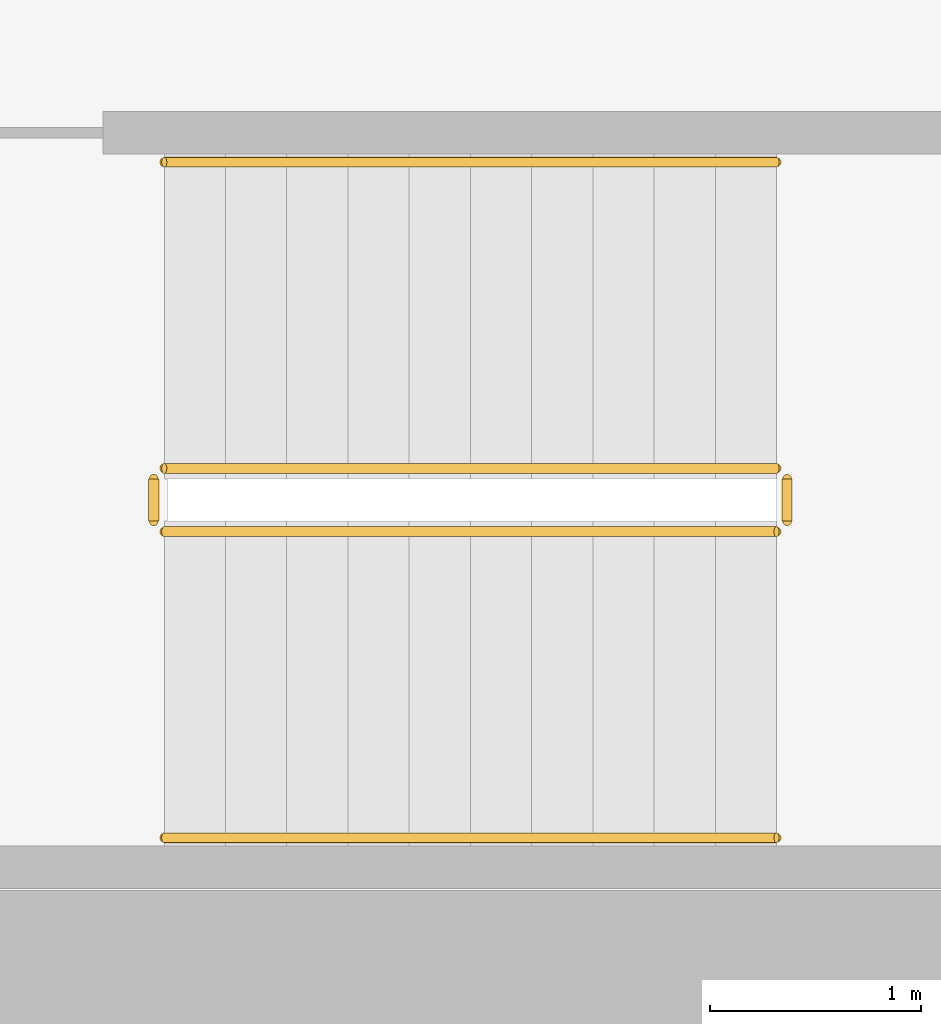
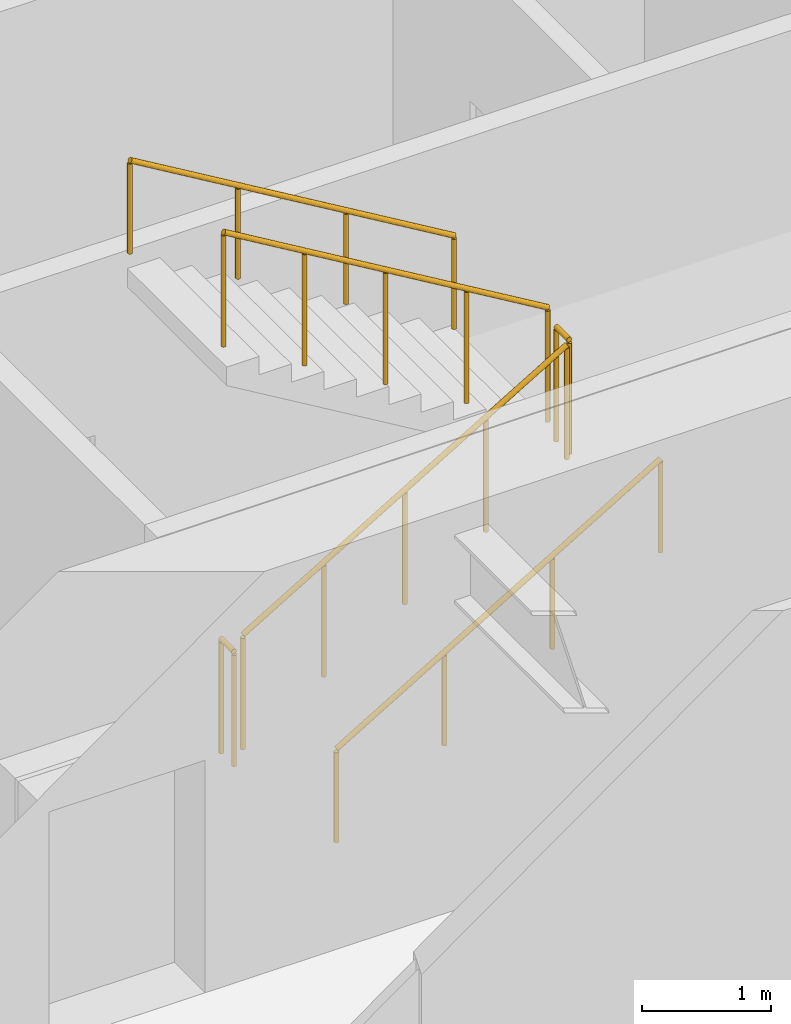
# One storey, part 19 of 20: 6 railings.
"""IFC4 building model written with IfcOpenShell, lengths in metres."""

from ifc_helpers import new_model, si_unit, direction, frame, origin, origin_2d, place, context, subcontext, project, spatial, circle, extrude, material, type_object, element, save


model = new_model("IFC4")

# Units and contexts
model_context = context("Model", 3, precision=1e-05, world=origin(), true_north=direction((0.0, 1.0)))
body_context = subcontext(model_context, "Body", "Model", "MODEL_VIEW")
ifc_project = project(units=[si_unit("LENGTHUNIT", "METRE"), si_unit("AREAUNIT", "SQUARE_METRE"), si_unit("VOLUMEUNIT", "CUBIC_METRE"), si_unit("PLANEANGLEUNIT", "RADIAN"), si_unit("MASSUNIT", "GRAM", prefix="KILO")], contexts=[model_context])

# Site, building, storey
site_placement = place(None, origin())
site = spatial("IfcSite", under=ifc_project, at=site_placement, CompositionType="ELEMENT")
building_placement = place(site_placement, origin())
building = spatial("IfcBuilding", under=site, at=building_placement, Name="Putna Gate Headquarters", CompositionType="ELEMENT")
storey_placement = place(building_placement, frame((0.0, 0.0, 73.39990234375)))
storey = spatial("IfcBuildingStorey", under=building, at=storey_placement, Name="L17", CompositionType="ELEMENT", Elevation=73.39990234375)

# Railings
ifc_material_1 = material(Name="Powder-coated steel stair guardrail", Category="steel")
railing_type_1 = type_object("IfcRailingType", Name="RAIL-STAIR-GUARD-1100", PredefinedType="GUARDRAIL", material=ifc_material_1)
railing_1_placement = place(storey_placement, frame((57.89990234375, 21.10009765625, 0.1728515625)))
element("IfcRailing", 1, at=railing_1_placement, inside=storey, type_object=railing_type_1, Name="L17 ST2 stair guard 1", PredefinedType="GUARDRAIL", context=body_context, shape_type="SweptSolid", body=[
    extrude(circle(Radius=0.02392578125, at=origin_2d()), frame((0.0, 0.0, 1.076171875), z_axis=(0.859160404282, 0.0, 0.51170636083), x_axis=(0.0, 1.0, 0.0)), (0.0, 0.0, 1.0), 3.37548828125),
    extrude(circle(Radius=0.02099609375, at=origin_2d()), origin(), (0.0, 0.0, 1.0), 1.052001953125),
    extrude(circle(Radius=0.02099609375, at=origin_2d()), frame((0.72509765625, 0.0, 0.431884765625)), (0.0, 0.0, 1.0), 1.052001953125),
    extrude(circle(Radius=0.02099609375, at=origin_2d()), frame((1.4501953125, 0.0, 0.86376953125)), (0.0, 0.0, 1.0), 1.052001953125),
    extrude(circle(Radius=0.02099609375, at=origin_2d()), frame((2.175048828125, 0.0, 1.29541015625)), (0.0, 0.0, 1.0), 1.052001953125),
    extrude(circle(Radius=0.02099609375, at=origin_2d()), frame((2.900146484375, 0.0, 1.727294921875)), (0.0, 0.0, 1.0), 1.052001953125),
])
railing_2_placement = place(storey_placement, frame((60.85009765625, 21.14990234375, 1.900146484375)))
element("IfcRailing", 2, at=railing_2_placement, inside=storey, type_object=railing_type_1, Name="L17 ST2 stair guard 2", PredefinedType="GUARDRAIL", context=body_context, shape_type="SweptSolid", body=[
    extrude(circle(Radius=0.02392578125, at=origin_2d()), frame((0.0, 0.0, 1.076171875), z_axis=(0.0, 1.0, 0.0), x_axis=(-1.0, 0.0, 0.0)), (0.0, 0.0, 1.0), 0.2001953125),
    extrude(circle(Radius=0.02099609375, at=origin_2d()), origin(), (0.0, 0.0, 1.0), 1.052001953125),
    extrude(circle(Radius=0.02099609375, at=origin_2d()), frame((0.0, 0.2001953125, 0.0)), (0.0, 0.0, 1.0), 1.052001953125),
])
railing_3_placement = place(storey_placement, frame((60.800048828125, 21.39990234375, 2.07275390625)))
element("IfcRailing", 3, at=railing_3_placement, inside=storey, type_object=railing_type_1, Name="L17 ST2 stair guard 3", PredefinedType="GUARDRAIL", context=body_context, shape_type="SweptSolid", body=[
    extrude(circle(Radius=0.02392578125, at=origin_2d()), frame((0.0, 0.0, 1.076171875), z_axis=(-0.859160404282, 0.0, 0.51170636083), x_axis=(0.0, -1.0, 0.0)), (0.0, 0.0, 1.0), 3.37548828125),
    extrude(circle(Radius=0.02099609375, at=origin_2d()), origin(), (0.0, 0.0, 1.0), 1.052001953125),
    extrude(circle(Radius=0.02099609375, at=origin_2d()), frame((-0.72509765625, 0.0, 0.431884765625)), (0.0, 0.0, 1.0), 1.052001953125),
    extrude(circle(Radius=0.02099609375, at=origin_2d()), frame((-1.4501953125, 0.0, 0.86376953125)), (0.0, 0.0, 1.0), 1.052001953125),
    extrude(circle(Radius=0.02099609375, at=origin_2d()), frame((-2.175048828125, 0.0, 1.29541015625)), (0.0, 0.0, 1.0), 1.052001953125),
    extrude(circle(Radius=0.02099609375, at=origin_2d()), frame((-2.900146484375, 0.0, 1.727294921875)), (0.0, 0.0, 1.0), 1.052001953125),
])
railing_4_placement = place(storey_placement, frame((57.85009765625, 21.14990234375, 0.0)))
element("IfcRailing", 4, at=railing_4_placement, inside=storey, type_object=railing_type_1, Name="L17 ST2 stair guard 4", PredefinedType="GUARDRAIL", context=body_context, shape_type="SweptSolid", body=[
    extrude(circle(Radius=0.02392578125, at=origin_2d()), frame((0.0, 0.0, 1.076171875), z_axis=(0.0, 1.0, 0.0), x_axis=(-1.0, 0.0, 0.0)), (0.0, 0.0, 1.0), 0.2001953125),
    extrude(circle(Radius=0.02099609375, at=origin_2d()), origin(), (0.0, 0.0, 1.0), 1.052001953125),
    extrude(circle(Radius=0.02099609375, at=origin_2d()), frame((0.0, 0.2001953125, 0.0)), (0.0, 0.0, 1.0), 1.052001953125),
])
ifc_material_2 = material(Name="Brushed stainless steel handrail", Category="steel")
railing_type_2 = type_object("IfcRailingType", Name="RAIL-STAIR-HAND-900", PredefinedType="HANDRAIL", material=ifc_material_2)
railing_5_placement = place(storey_placement, frame((57.89990234375, 19.64990234375, 0.1728515625)))
element("IfcRailing", 5, at=railing_5_placement, inside=storey, type_object=railing_type_2, Name="L17 ST2 stair handrail 1", PredefinedType="HANDRAIL", context=body_context, shape_type="SweptSolid", body=[
    extrude(circle(Radius=0.02392578125, at=origin_2d()), frame((0.0, 0.0, 0.8759765625), z_axis=(0.859160404282, 0.0, 0.51170636083), x_axis=(0.0, 1.0, 0.0)), (0.0, 0.0, 1.0), 3.37548828125),
    extrude(circle(Radius=0.02099609375, at=origin_2d()), origin(), (0.0, 0.0, 1.0), 0.851806640625),
    extrude(circle(Radius=0.02099609375, at=origin_2d()), frame((0.966796875, 0.0, 0.57568359375)), (0.0, 0.0, 1.0), 0.851806640625),
    extrude(circle(Radius=0.02099609375, at=origin_2d()), frame((1.933349609375, 0.0, 1.151611328125)), (0.0, 0.0, 1.0), 0.851806640625),
    extrude(circle(Radius=0.02099609375, at=origin_2d()), frame((2.900146484375, 0.0, 1.727294921875)), (0.0, 0.0, 1.0), 0.851806640625),
])
railing_6_placement = place(storey_placement, frame((60.800048828125, 22.85009765625, 2.07275390625)))
element("IfcRailing", 6, at=railing_6_placement, inside=storey, type_object=railing_type_2, Name="L17 ST2 stair handrail 2", PredefinedType="HANDRAIL", context=body_context, shape_type="SweptSolid", body=[
    extrude(circle(Radius=0.02392578125, at=origin_2d()), frame((0.0, 0.0, 0.8759765625), z_axis=(-0.859160404282, 0.0, 0.51170636083), x_axis=(0.0, -1.0, 0.0)), (0.0, 0.0, 1.0), 3.37548828125),
    extrude(circle(Radius=0.02099609375, at=origin_2d()), origin(), (0.0, 0.0, 1.0), 0.851806640625),
    extrude(circle(Radius=0.02099609375, at=origin_2d()), frame((-0.966796875, 0.0, 0.57568359375)), (0.0, 0.0, 1.0), 0.851806640625),
    extrude(circle(Radius=0.02099609375, at=origin_2d()), frame((-1.933349609375, 0.0, 1.151611328125)), (0.0, 0.0, 1.0), 0.851806640625),
    extrude(circle(Radius=0.02099609375, at=origin_2d()), frame((-2.900146484375, 0.0, 1.727294921875)), (0.0, 0.0, 1.0), 0.851806640625),
])

save(model, "model.ifc")
